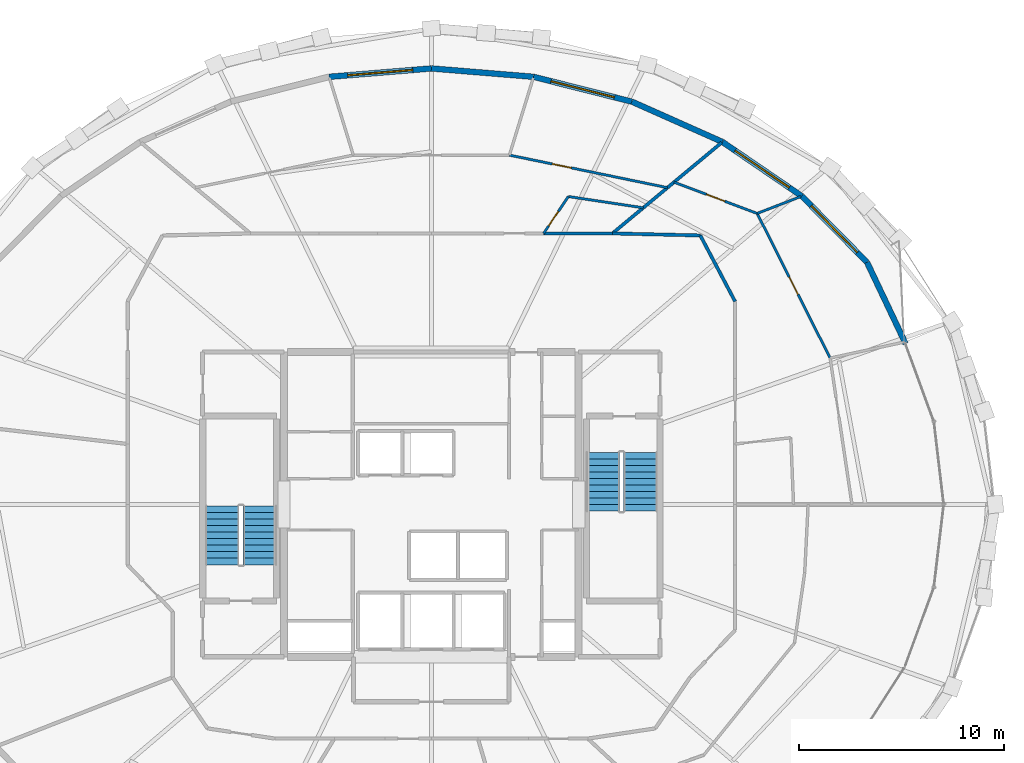
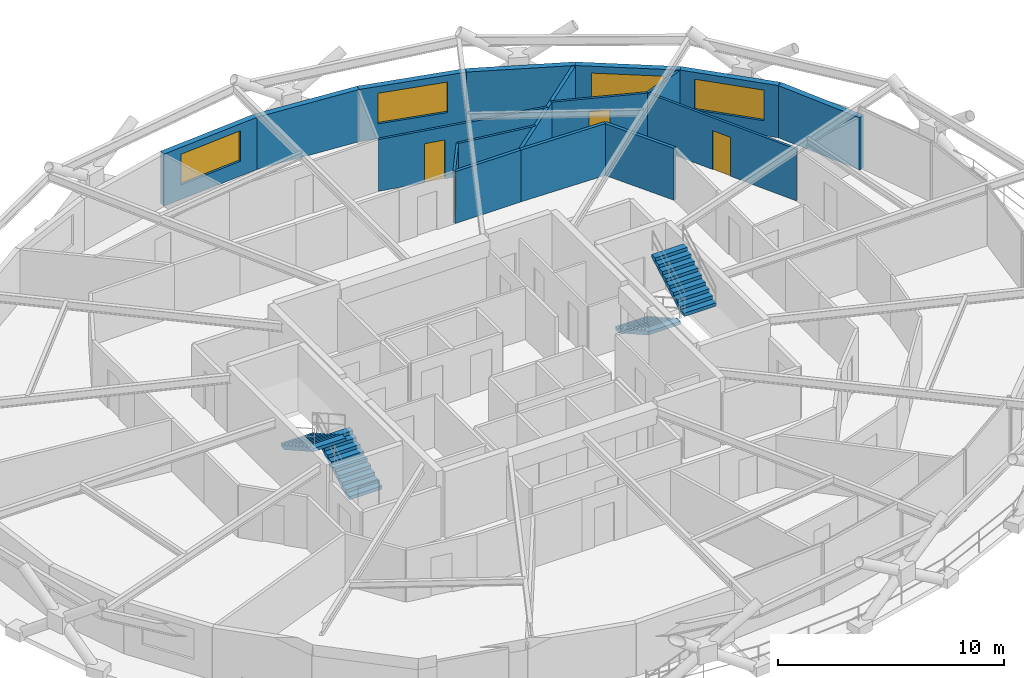
# One storey, part 14 of 15: 17 walls, 4 doors, 4 stair flights, 4 windows, 8 openings, 2 elements without a shape of their own.
"""IFC4 building model written with IfcOpenShell, lengths in metres."""

from ifc_helpers import new_model, si_unit, direction, frame, frame_2d, origin, place, context, subcontext, project, spatial, polyline, rectangle, outline, extrude, material, layer, layer_set, type_object, element, fill, aggregate, save


model = new_model("IFC4")

# Units and contexts
model_context = context("Model", 3, precision=1e-05, world=origin(), true_north=direction((0.0, 1.0)))
body_context = subcontext(model_context, "Body", "Model", "MODEL_VIEW")
ifc_project = project(units=[si_unit("LENGTHUNIT", "METRE"), si_unit("AREAUNIT", "SQUARE_METRE"), si_unit("VOLUMEUNIT", "CUBIC_METRE"), si_unit("PLANEANGLEUNIT", "RADIAN"), si_unit("MASSUNIT", "GRAM", prefix="KILO")], contexts=[model_context])

# Site, building, storey
site_placement = place(None, origin())
site = spatial("IfcSite", under=ifc_project, at=site_placement, CompositionType="ELEMENT")
building_placement = place(site_placement, origin())
building = spatial("IfcBuilding", under=site, at=building_placement, Name="Veldorina Hangang Commons", CompositionType="ELEMENT")
storey_placement = place(building_placement, frame((0.0, 0.0, 182.0)))
storey = spatial("IfcBuildingStorey", under=building, at=storey_placement, Name="L47", CompositionType="ELEMENT", Elevation=182.0)

# Wall
ifc_material_1 = material(Name="Stone Roman Travertine", Category="masonry")
ifc_layer_1 = layer(ifc_material_1, 0.280029296875)
ifc_layer_set_1 = layer_set([ifc_layer_1], Name="Stone Roman Travertine")
wall_type_1 = type_object("IfcWallType", Name="EW-TRAV-280", PredefinedType="STANDARD", material=ifc_layer_set_1)
wall_1_placement = place(storey_placement, frame((55.188232421875, 31.85986328125, 0.0), z_axis=(0.0, 0.0, 1.0), x_axis=(-0.428595800286, 0.903496341983, 0.0)))
element("IfcWall", 1, at=wall_1_placement, inside=storey, type_object=wall_type_1, Name="L47 travertine facade wall 02", PredefinedType="STANDARD", context=body_context, shape_type="SweptSolid", body=[
    extrude(rectangle(XDim=4.40771484375, YDim=0.280029296875, at=frame_2d((2.203857421875, 0.0))), origin(), (0.0, 0.0, 1.0), 2.820068359375),
])

# Wall, opening, window
wall_2_placement = place(storey_placement, frame((53.299072265625, 35.84228515625, 0.0), z_axis=(0.0, 0.0, 1.0), x_axis=(-0.70219293187, 0.711986717876, 0.0)))
wall_2 = element("IfcWall", 2, at=wall_2_placement, inside=storey, type_object=wall_type_1, Name="L47 travertine facade wall 03", PredefinedType="STANDARD", context=body_context, shape_type="SweptSolid", body=[
    extrude(rectangle(XDim=4.536865234375, YDim=0.280029296875, at=frame_2d((2.2685546875, 0.0))), origin(), (0.0, 0.0, 1.0), 2.820068359375),
])
opening_1_placement = place(wall_2_placement, frame((0.66845703125, 0.0, 0.800048828125)))
opening_1 = element("IfcOpeningElement", 3, at=opening_1_placement, cuts=wall_2, Name="Opening W-01", PredefinedType="OPENING", context=body_context, shape_type="SweptSolid", body=[
    extrude(rectangle(XDim=3.199951171875, YDim=1.64990234375, at=frame_2d((1.60009765625, 0.824951171875))), frame((0.0, 0.14990234375, 0.0), z_axis=(0.0, -1.0, 0.0), x_axis=(1.0, 0.0, 0.0)), (0.0, 0.0, 1.0), 0.300048828125),
])
ifc_material_2 = material(Name="Glass Low-E Triple IGU", Category="glass")
window_type = type_object("IfcWindowType", Name="WIN-TWR-3200", PartitioningType="SINGLE_PANEL", PredefinedType="WINDOW", material=ifc_material_2)
window_1_placement = place(opening_1_placement, origin())
window_1 = element("IfcWindow", 4, at=window_1_placement, inside=storey, type_object=window_type, Name="L47 facade window 03", OverallHeight=1.64990234375, OverallWidth=3.199951171875, PartitioningType="SINGLE_PANEL", PredefinedType="WINDOW", context=body_context, shape_type="SweptSolid", body=[
    extrude(rectangle(XDim=3.199951171875, YDim=1.64990234375, at=frame_2d((1.60009765625, 0.824951171875))), frame((0.0, 0.030029296875, 0.0), z_axis=(0.0, -1.0, 0.0), x_axis=(1.0, 0.0, 0.0)), (0.0, 0.0, 1.0), 0.06005859375),
])
fill(opening_1, window_1)

wall_3_placement = place(storey_placement, frame((50.11328125, 39.072509765625, 0.0), z_axis=(0.0, 0.0, 1.0), x_axis=(-0.825797441916, 0.563966829632, 0.0)))
wall_3 = element("IfcWall", 5, at=wall_3_placement, inside=storey, type_object=wall_type_1, Name="L47 travertine facade wall 04", PredefinedType="STANDARD", context=body_context, shape_type="SweptSolid", body=[
    extrude(rectangle(XDim=4.700439453125, YDim=0.280029296875, at=frame_2d((2.35009765625, 0.0))), origin(), (0.0, 0.0, 1.0), 2.820068359375),
])
opening_2_placement = place(wall_3_placement, frame((0.750244140625, 0.0, 0.800048828125)))
opening_2 = element("IfcOpeningElement", 6, at=opening_2_placement, cuts=wall_3, Name="Opening W-01", PredefinedType="OPENING", context=body_context, shape_type="SweptSolid", body=[
    extrude(rectangle(XDim=3.199951171875, YDim=1.64990234375, at=frame_2d((1.60009765625, 0.824951171875))), frame((0.0, 0.14990234375, 0.0), z_axis=(0.0, -1.0, 0.0), x_axis=(1.0, 0.0, 0.0)), (0.0, 0.0, 1.0), 0.300048828125),
])
window_2_placement = place(opening_2_placement, origin())
window_2 = element("IfcWindow", 7, at=window_2_placement, inside=storey, type_object=window_type, Name="L47 facade window 04", OverallHeight=1.64990234375, OverallWidth=3.199951171875, PartitioningType="SINGLE_PANEL", PredefinedType="WINDOW", context=body_context, shape_type="SweptSolid", body=[
    extrude(rectangle(XDim=3.199951171875, YDim=1.64990234375, at=frame_2d((1.60009765625, 0.824951171875))), frame((0.0, 0.030029296875, 0.0), z_axis=(0.0, -1.0, 0.0), x_axis=(1.0, 0.0, 0.0)), (0.0, 0.0, 1.0), 0.06005859375),
])
fill(opening_2, window_2)

# Wall
wall_4_placement = place(storey_placement, frame((46.231689453125, 41.723388671875, 0.0), z_axis=(0.0, 0.0, 1.0), x_axis=(-0.913703507389, 0.406381471754, 0.0)))
element("IfcWall", 8, at=wall_4_placement, inside=storey, type_object=wall_type_1, Name="L47 travertine facade wall 05", PredefinedType="STANDARD", context=body_context, shape_type="SweptSolid", body=[
    extrude(rectangle(XDim=4.846923828125, YDim=0.280029296875, at=frame_2d((2.42333984375, 0.0))), origin(), (0.0, 0.0, 1.0), 2.820068359375),
])

# Wall, opening, window
wall_5_placement = place(storey_placement, frame((41.802978515625, 43.693115234375, 0.0), z_axis=(0.0, 0.0, 1.0), x_axis=(-0.96958067748, 0.244771954803, 0.0)))
wall_5 = element("IfcWall", 9, at=wall_5_placement, inside=storey, type_object=wall_type_1, Name="L47 travertine facade wall 06", PredefinedType="STANDARD", context=body_context, shape_type="SweptSolid", body=[
    extrude(rectangle(XDim=4.956298828125, YDim=0.280029296875, at=frame_2d((2.47802734375, 0.0))), origin(), (0.0, 0.0, 1.0), 2.820068359375),
])
opening_3_placement = place(wall_5_placement, frame((0.878173828125, 0.0, 0.800048828125)))
opening_3 = element("IfcOpeningElement", 10, at=opening_3_placement, cuts=wall_5, Name="Opening W-01", PredefinedType="OPENING", context=body_context, shape_type="SweptSolid", body=[
    extrude(rectangle(XDim=3.199951171875, YDim=1.64990234375, at=frame_2d((1.60009765625, 0.824951171875))), frame((0.0, 0.14990234375, 0.0), z_axis=(0.0, -1.0, 0.0), x_axis=(1.0, 0.0, 0.0)), (0.0, 0.0, 1.0), 0.300048828125),
])
window_3_placement = place(opening_3_placement, origin())
window_3 = element("IfcWindow", 11, at=window_3_placement, inside=storey, type_object=window_type, Name="L47 facade window 06", OverallHeight=1.64990234375, OverallWidth=3.199951171875, PartitioningType="SINGLE_PANEL", PredefinedType="WINDOW", context=body_context, shape_type="SweptSolid", body=[
    extrude(rectangle(XDim=3.199951171875, YDim=1.64990234375, at=frame_2d((1.60009765625, 0.824951171875))), frame((0.0, 0.030029296875, 0.0), z_axis=(0.0, -1.0, 0.0), x_axis=(1.0, 0.0, 0.0)), (0.0, 0.0, 1.0), 0.06005859375),
])
fill(opening_3, window_3)

# Wall
wall_6_placement = place(storey_placement, frame((36.99755859375, 44.90625, 0.0), z_axis=(0.0, 0.0, 1.0), x_axis=(-0.996657001312, 0.081699582228, 0.0)))
element("IfcWall", 12, at=wall_6_placement, inside=storey, type_object=wall_type_1, Name="L47 travertine facade wall 07", PredefinedType="STANDARD", context=body_context, shape_type="SweptSolid", body=[
    extrude(rectangle(XDim=5.014404296875, YDim=0.280029296875, at=frame_2d((2.50732421875, 0.0))), origin(), (0.0, 0.0, 1.0), 2.820068359375),
])

# Wall, opening, window
wall_7_placement = place(storey_placement, frame((32.0, 45.31591796875, 0.0), z_axis=(0.0, 0.0, 1.0), x_axis=(-0.996657001312, -0.081699582228, 0.0)))
wall_7 = element("IfcWall", 13, at=wall_7_placement, inside=storey, type_object=wall_type_1, Name="L47 travertine facade wall 08", PredefinedType="STANDARD", context=body_context, shape_type="SweptSolid", body=[
    extrude(rectangle(XDim=5.014404296875, YDim=0.280029296875, at=frame_2d((2.50732421875, 0.0))), origin(), (0.0, 0.0, 1.0), 2.820068359375),
])
opening_4_placement = place(wall_7_placement, frame((0.906982421875, 0.0, 0.800048828125)))
opening_4 = element("IfcOpeningElement", 14, at=opening_4_placement, cuts=wall_7, Name="Opening W-01", PredefinedType="OPENING", context=body_context, shape_type="SweptSolid", body=[
    extrude(rectangle(XDim=3.199951171875, YDim=1.64990234375, at=frame_2d((1.60009765625, 0.824951171875))), frame((0.0, 0.14990234375, 0.0), z_axis=(0.0, -1.0, 0.0), x_axis=(1.0, 0.0, 0.0)), (0.0, 0.0, 1.0), 0.300048828125),
])
window_4_placement = place(opening_4_placement, origin())
window_4 = element("IfcWindow", 15, at=window_4_placement, inside=storey, type_object=window_type, Name="L47 facade window 08", OverallHeight=1.64990234375, OverallWidth=3.199951171875, PartitioningType="SINGLE_PANEL", PredefinedType="WINDOW", context=body_context, shape_type="SweptSolid", body=[
    extrude(rectangle(XDim=3.199951171875, YDim=1.64990234375, at=frame_2d((1.60009765625, 0.824951171875))), frame((0.0, 0.030029296875, 0.0), z_axis=(0.0, -1.0, 0.0), x_axis=(1.0, 0.0, 0.0)), (0.0, 0.0, 1.0), 0.06005859375),
])
fill(opening_4, window_4)

# Walls
ifc_material_3 = material(Name="Gypsum Fire-Rated Twin Stud Wall", Category="gypsum")
ifc_layer_2 = layer(ifc_material_3, 0.159912109375)
ifc_layer_set_2 = layer_set([ifc_layer_2], Name="Gypsum Fire-Rated Twin Stud Wall")
wall_type_2 = type_object("IfcWallType", Name="WL-FIRE-160", PredefinedType="SOLIDWALL", material=ifc_layer_set_2)
wall_8_placement = place(storey_placement, frame((46.85009765625, 33.922607421875, 0.0), z_axis=(0.0, 0.0, 1.0), x_axis=(-0.466093963429, 0.884735224378, 0.0)))
element("IfcWall", 16, at=wall_8_placement, inside=storey, type_object=wall_type_2, Name="L47 U-corridor outer wall 03 049", PredefinedType="SOLIDWALL", context=body_context, shape_type="SweptSolid", body=[
    extrude(rectangle(XDim=3.647705078125, YDim=0.159912109375, at=frame_2d((1.82373046875, 0.0))), origin(), (0.0, 0.0, 1.0), 2.800048828125),
])
wall_9_placement = place(storey_placement, frame((45.14990234375, 37.14990234375, 0.0), z_axis=(0.0, 0.0, 1.0), x_axis=(-0.999728709658, 0.023291781507, 0.0)))
element("IfcWall", 17, at=wall_9_placement, inside=storey, type_object=wall_type_2, Name="L47 U-corridor outer wall 04 050", PredefinedType="SOLIDWALL", context=body_context, shape_type="SweptSolid", body=[
    extrude(rectangle(XDim=4.297607421875, YDim=0.159912109375, at=frame_2d((2.14892578125, 0.0))), origin(), (0.0, 0.0, 1.0), 2.800048828125),
])
wall_10_placement = place(storey_placement, frame((40.853515625, 37.25, 0.0), z_axis=(0.0, 0.0, 1.0), x_axis=(-1.0, 0.0, 0.0)))
element("IfcWall", 18, at=wall_10_placement, inside=storey, type_object=wall_type_2, Name="L47 U-corridor outer wall 05 051", PredefinedType="SOLIDWALL", context=body_context, shape_type="SweptSolid", body=[
    extrude(rectangle(XDim=3.365234375, YDim=0.159912109375, at=frame_2d((1.6826171875, 0.0))), origin(), (0.0, 0.0, 1.0), 2.800048828125),
])
wall_11_placement = place(storey_placement, frame((40.853515625, 37.25, 0.0), z_axis=(0.0, 0.0, 1.0), x_axis=(0.768805862504, 0.639482248213, 0.0)))
element("IfcWall", 19, at=wall_11_placement, inside=storey, type_object=wall_type_2, Name="L47 Unit party wall 05 092", PredefinedType="SOLIDWALL", context=body_context, shape_type="SweptSolid", body=[
    extrude(rectangle(XDim=6.9453125, YDim=0.159912109375, at=frame_2d((3.47265625, 0.0))), origin(), (0.0, 0.0, 1.0), 2.800048828125),
])

# Wall, opening, door
ifc_material_4 = material(Name="Gypsum Acoustic Stud Partition", Category="gypsum")
ifc_layer_3 = layer(ifc_material_4, 0.1201171875)
ifc_layer_set_3 = layer_set([ifc_layer_3], Name="Gypsum Acoustic Stud Partition")
wall_type_3 = type_object("IfcWallType", Name="WL-PART-120", PredefinedType="PARTITIONING", material=ifc_layer_set_3)
wall_12_placement = place(storey_placement, frame((51.497314453125, 31.154541015625, 0.0), z_axis=(0.0, 0.0, 1.0), x_axis=(-0.450428488071, 0.892812509508, 0.0)))
wall_12 = element("IfcWall", 20, at=wall_12_placement, inside=storey, type_object=wall_type_3, Name="L47 Cluster 2 bed 2 front wall 088", PredefinedType="PARTITIONING", context=body_context, shape_type="SweptSolid", body=[
    extrude(rectangle(XDim=7.921142578125, YDim=0.1201171875, at=frame_2d((3.96044921875, 0.0))), origin(), (0.0, 0.0, 1.0), 2.800048828125),
])
opening_5_placement = place(wall_12_placement, frame((3.485595703125, 0.0, 0.0)))
opening_5 = element("IfcOpeningElement", 21, at=opening_5_placement, cuts=wall_12, Name="Opening D-02", PredefinedType="OPENING", context=body_context, shape_type="SweptSolid", body=[
    extrude(rectangle(XDim=0.949951171875, YDim=2.10009765625, at=frame_2d((0.47509765625, 1.050048828125))), frame((0.0, 0.070068359375, 0.0), z_axis=(0.0, -1.0, 0.0), x_axis=(1.0, 0.0, 0.0)), (0.0, 0.0, 1.0), 0.14013671875),
])
ifc_material_5 = material(Name="Timber Solid Core Acoustic", Category="wood")
door_type_1 = type_object("IfcDoorType", Name="DR-INT-950", OperationType="SINGLE_SWING_LEFT", PredefinedType="DOOR", material=ifc_material_5)
door_1_placement = place(opening_5_placement, origin())
door_1 = element("IfcDoor", 22, at=door_1_placement, inside=storey, type_object=door_type_1, Name="L47 Cluster 2 bed 2 door 023", OperationType="SINGLE_SWING_LEFT", OverallHeight=2.10009765625, OverallWidth=0.949951171875, PredefinedType="DOOR", context=body_context, shape_type="SweptSolid", body=[
    extrude(rectangle(XDim=0.949951171875, YDim=2.10009765625, at=frame_2d((0.47509765625, 1.050048828125))), frame((0.0, 0.02490234375, 0.0), z_axis=(0.0, -1.0, 0.0), x_axis=(1.0, 0.0, 0.0)), (0.0, 0.0, 1.0), 0.050048828125),
])
fill(opening_5, door_1)

wall_13_placement = place(storey_placement, frame((47.929443359375, 38.2265625, 0.0), z_axis=(0.0, 0.0, 1.0), x_axis=(-0.935989074673, 0.352029050071, 0.0)))
wall_13 = element("IfcWall", 23, at=wall_13_placement, inside=storey, type_object=wall_type_3, Name="L47 Cluster 2 bed 3 front wall 090", PredefinedType="PARTITIONING", context=body_context, shape_type="SweptSolid", body=[
    extrude(rectangle(XDim=4.342041015625, YDim=0.1201171875, at=frame_2d((2.1708984375, 0.0))), origin(), (0.0, 0.0, 1.0), 2.800048828125),
])
opening_6_placement = place(wall_13_placement, frame((1.696044921875, 0.0, 0.0)))
opening_6 = element("IfcOpeningElement", 24, at=opening_6_placement, cuts=wall_13, Name="Opening D-02", PredefinedType="OPENING", context=body_context, shape_type="SweptSolid", body=[
    extrude(rectangle(XDim=0.949951171875, YDim=2.10009765625, at=frame_2d((0.47509765625, 1.050048828125))), frame((0.0, 0.070068359375, 0.0), z_axis=(0.0, -1.0, 0.0), x_axis=(1.0, 0.0, 0.0)), (0.0, 0.0, 1.0), 0.14013671875),
])
door_2_placement = place(opening_6_placement, origin())
door_2 = element("IfcDoor", 25, at=door_2_placement, inside=storey, type_object=door_type_1, Name="L47 Cluster 2 bed 3 door 024", OperationType="SINGLE_SWING_RIGHT", OverallHeight=2.10009765625, OverallWidth=0.949951171875, PredefinedType="DOOR", context=body_context, shape_type="SweptSolid", body=[
    extrude(rectangle(XDim=0.949951171875, YDim=2.10009765625, at=frame_2d((0.47509765625, 1.050048828125))), frame((0.0, 0.02490234375, 0.0), z_axis=(0.0, -1.0, 0.0), x_axis=(1.0, 0.0, 0.0)), (0.0, 0.0, 1.0), 0.050048828125),
])
fill(opening_6, door_2)

# Walls
wall_14_placement = place(storey_placement, frame((47.929443359375, 38.2265625, 0.0), z_axis=(0.0, 0.0, 1.0), x_axis=(0.932497523424, 0.36117636801, 0.0)))
element("IfcWall", 26, at=wall_14_placement, inside=storey, type_object=wall_type_3, Name="L47 Cluster 2 bed divider 2 091", PredefinedType="PARTITIONING", context=body_context, shape_type="SweptSolid", body=[
    extrude(rectangle(XDim=2.292236328125, YDim=0.1201171875, at=frame_2d((1.14599609375, 0.0))), origin(), (0.0, 0.0, 1.0), 2.800048828125),
])
wall_15_placement = place(storey_placement, frame((42.359375, 38.502685546875, 0.0), z_axis=(0.0, 0.0, 1.0), x_axis=(-0.988854990304, 0.148881859711, 0.0)))
element("IfcWall", 27, at=wall_15_placement, inside=storey, type_object=wall_type_3, Name="L47 Cluster 3 bath front wall 093", PredefinedType="PARTITIONING", context=body_context, shape_type="SweptSolid", body=[
    extrude(rectangle(XDim=3.704345703125, YDim=0.1201171875, at=frame_2d((1.85205078125, 0.0))), origin(), (0.0, 0.0, 1.0), 2.800048828125),
])

# Wall, opening, door
wall_16_placement = place(storey_placement, frame((37.48828125, 37.25, 0.0), z_axis=(0.0, 0.0, 1.0), x_axis=(0.556359763528, 0.830941522327, 0.0)))
wall_16 = element("IfcWall", 28, at=wall_16_placement, inside=storey, type_object=wall_type_3, Name="L47 Cluster 3 bath side wall 094", PredefinedType="PARTITIONING", context=body_context, shape_type="SweptSolid", body=[
    extrude(rectangle(XDim=2.17138671875, YDim=0.1201171875, at=frame_2d((1.085693359375, 0.0))), origin(), (0.0, 0.0, 1.0), 2.800048828125),
])
opening_7_placement = place(wall_16_placement, frame((0.43994140625, 0.0, 0.0)))
opening_7 = element("IfcOpeningElement", 29, at=opening_7_placement, cuts=wall_16, Name="Opening D-01", PredefinedType="OPENING", context=body_context, shape_type="SweptSolid", body=[
    extrude(rectangle(XDim=0.860107421875, YDim=2.10009765625, at=frame_2d((0.43017578125, 1.050048828125))), frame((0.0, 0.070068359375, 0.0), z_axis=(0.0, -1.0, 0.0), x_axis=(1.0, 0.0, 0.0)), (0.0, 0.0, 1.0), 0.14013671875),
])
ifc_material_6 = material(Name="Timber Moisture-Resistant Core", Category="wood")
door_type_2 = type_object("IfcDoorType", Name="DR-WET-860", OperationType="SINGLE_SWING_LEFT", PredefinedType="DOOR", material=ifc_material_6)
door_3_placement = place(opening_7_placement, origin())
door_3 = element("IfcDoor", 30, at=door_3_placement, inside=storey, type_object=door_type_2, Name="L47 Cluster 3 shared bathroom door 025", OperationType="SINGLE_SWING_LEFT", OverallHeight=2.10009765625, OverallWidth=0.860107421875, PredefinedType="DOOR", context=body_context, shape_type="SweptSolid", body=[
    extrude(rectangle(XDim=0.860107421875, YDim=2.10009765625, at=frame_2d((0.43017578125, 1.050048828125))), frame((0.0, 0.02490234375, 0.0), z_axis=(0.0, -1.0, 0.0), x_axis=(1.0, 0.0, 0.0)), (0.0, 0.0, 1.0), 0.050048828125),
])
fill(opening_7, door_3)

wall_17_placement = place(storey_placement, frame((43.54248046875, 39.48681640625, 0.0), z_axis=(0.0, 0.0, 1.0), x_axis=(-0.979440858822, 0.201731514814, 0.0)))
wall_17 = element("IfcWall", 31, at=wall_17_placement, inside=storey, type_object=wall_type_3, Name="L47 Cluster 3 bed 1 front wall 095", PredefinedType="PARTITIONING", context=body_context, shape_type="SweptSolid", body=[
    extrude(rectangle(XDim=7.88818359375, YDim=0.1201171875, at=frame_2d((3.944091796875, 0.0))), origin(), (0.0, 0.0, 1.0), 2.800048828125),
])
opening_8_placement = place(wall_17_placement, frame((4.802001953125, 0.0, 0.0)))
opening_8 = element("IfcOpeningElement", 32, at=opening_8_placement, cuts=wall_17, Name="Opening D-02", PredefinedType="OPENING", context=body_context, shape_type="SweptSolid", body=[
    extrude(rectangle(XDim=0.949951171875, YDim=2.10009765625, at=frame_2d((0.47509765625, 1.050048828125))), frame((0.0, 0.070068359375, 0.0), z_axis=(0.0, -1.0, 0.0), x_axis=(1.0, 0.0, 0.0)), (0.0, 0.0, 1.0), 0.14013671875),
])
door_4_placement = place(opening_8_placement, origin())
door_4 = element("IfcDoor", 33, at=door_4_placement, inside=storey, type_object=door_type_1, Name="L47 Cluster 3 bed 1 door 027", OperationType="SINGLE_SWING_LEFT", OverallHeight=2.10009765625, OverallWidth=0.949951171875, PredefinedType="DOOR", context=body_context, shape_type="SweptSolid", body=[
    extrude(rectangle(XDim=0.949951171875, YDim=2.10009765625, at=frame_2d((0.47509765625, 1.050048828125))), frame((0.0, 0.02490234375, 0.0), z_axis=(0.0, -1.0, 0.0), x_axis=(1.0, 0.0, 0.0)), (0.0, 0.0, 1.0), 0.050048828125),
])
fill(opening_8, door_4)

# Stair, stair flights
ifc_material_7 = material(Name="Concrete C40/50", Category="concrete")
stair_type = type_object("IfcStairType", Name="STR-DOG-1650-20R", PredefinedType="HALF_TURN_STAIR", material=ifc_material_7)
stair_1_placement = place(storey_placement, origin())
stair_1 = element("IfcStair", 34, at=stair_1_placement, inside=storey, type_object=stair_type, Name="L47 Exit stair ST-1", PredefinedType="HALF_TURN_STAIR")
stair_flight_type = type_object("IfcStairFlightType", Name="SFL-STR-1650-20R", PredefinedType="STRAIGHT", material=ifc_material_7)
stair_flight_1_placement = place(storey_placement, frame((23.625, 21.050048828125, 0.0), z_axis=(0.0, 0.0, 1.0), x_axis=(0.0, 1.0, 0.0)))
stair_flight_1 = element("IfcStairFlight", 35, at=stair_flight_1_placement, type_object=stair_flight_type, Name="ST-1 flight 1", NumberOfRisers=10, NumberOfTreads=9, PredefinedType="STRAIGHT", RiserHeight=0.18, TreadLength=0.32, context=body_context, shape_type="SweptSolid", body=[
    extrude(outline(polyline([(0.0, 0.0), (0.0, 0.179931640625), (0.320068359375, 0.179931640625), (0.320068359375, 0.360107421875), (0.639892578125, 0.360107421875), (0.639892578125, 0.5400390625), (0.9599609375, 0.5400390625), (0.9599609375, 0.719970703125), (1.280029296875, 0.719970703125), (1.280029296875, 0.89990234375), (1.60009765625, 0.89990234375), (1.60009765625, 1.080078125), (1.919921875, 1.080078125), (1.919921875, 1.260009765625), (2.239990234375, 1.260009765625), (2.239990234375, 1.43994140625), (2.56005859375, 1.43994140625), (2.56005859375, 1.6201171875), (2.8798828125, 1.6201171875), (2.8798828125, 1.800048828125), (2.8798828125, 1.447998046875), (0.3056640625, 0.0), (0.0, 0.0)])), frame((0.0, 0.824951171875, 0.0), z_axis=(0.0, -1.0, 0.0), x_axis=(1.0, 0.0, 0.0)), (0.0, 0.0, 1.0), 1.64990234375),
])
stair_flight_2_placement = place(storey_placement, frame((21.77490234375, 23.929931640625, 1.800048828125), z_axis=(0.0, 0.0, 1.0), x_axis=(0.0, -1.0, 0.0)))
stair_flight_2 = element("IfcStairFlight", 36, at=stair_flight_2_placement, type_object=stair_flight_type, Name="ST-1 flight 2", NumberOfRisers=10, NumberOfTreads=9, PredefinedType="STRAIGHT", RiserHeight=0.18, TreadLength=0.32, context=body_context, shape_type="SweptSolid", body=[
    extrude(outline(polyline([(0.0, 0.0), (0.0, 0.179931640625), (0.320068359375, 0.179931640625), (0.320068359375, 0.360107421875), (0.639892578125, 0.360107421875), (0.639892578125, 0.5400390625), (0.9599609375, 0.5400390625), (0.9599609375, 0.719970703125), (1.280029296875, 0.719970703125), (1.280029296875, 0.89990234375), (1.60009765625, 0.89990234375), (1.60009765625, 1.080078125), (1.919921875, 1.080078125), (1.919921875, 1.260009765625), (2.239990234375, 1.260009765625), (2.239990234375, 1.43994140625), (2.56005859375, 1.43994140625), (2.56005859375, 1.6201171875), (2.8798828125, 1.6201171875), (2.8798828125, 1.800048828125), (2.8798828125, 1.447998046875), (0.3056640625, 0.0), (0.0, 0.0)])), frame((0.0, 0.824951171875, 0.0), z_axis=(0.0, -1.0, 0.0), x_axis=(1.0, 0.0, 0.0)), (0.0, 0.0, 1.0), 1.64990234375),
])
aggregate(stair_1, [stair_flight_1, stair_flight_2])

stair_2_placement = place(storey_placement, origin())
stair_2 = element("IfcStair", 37, at=stair_2_placement, inside=storey, type_object=stair_type, Name="L47 Exit stair ST-2", PredefinedType="HALF_TURN_STAIR")
stair_flight_3_placement = place(storey_placement, frame((40.375, 26.550048828125, 0.0), z_axis=(0.0, 0.0, 1.0), x_axis=(0.0, -1.0, 0.0)))
stair_flight_3 = element("IfcStairFlight", 38, at=stair_flight_3_placement, type_object=stair_flight_type, Name="ST-2 flight 1", NumberOfRisers=10, NumberOfTreads=9, PredefinedType="STRAIGHT", RiserHeight=0.18, TreadLength=0.32, context=body_context, shape_type="SweptSolid", body=[
    extrude(outline(polyline([(0.0, 0.0), (0.0, 0.179931640625), (0.320068359375, 0.179931640625), (0.320068359375, 0.360107421875), (0.639892578125, 0.360107421875), (0.639892578125, 0.5400390625), (0.9599609375, 0.5400390625), (0.9599609375, 0.719970703125), (1.280029296875, 0.719970703125), (1.280029296875, 0.89990234375), (1.60009765625, 0.89990234375), (1.60009765625, 1.080078125), (1.919921875, 1.080078125), (1.919921875, 1.260009765625), (2.239990234375, 1.260009765625), (2.239990234375, 1.43994140625), (2.56005859375, 1.43994140625), (2.56005859375, 1.6201171875), (2.8798828125, 1.6201171875), (2.8798828125, 1.800048828125), (2.8798828125, 1.447998046875), (0.3056640625, 0.0), (0.0, 0.0)])), frame((0.0, 0.824951171875, 0.0), z_axis=(0.0, -1.0, 0.0), x_axis=(1.0, 0.0, 0.0)), (0.0, 0.0, 1.0), 1.64990234375),
])
stair_flight_4_placement = place(storey_placement, frame((42.22509765625, 23.669921875, 1.800048828125), z_axis=(0.0, 0.0, 1.0), x_axis=(0.0, 1.0, 0.0)))
stair_flight_4 = element("IfcStairFlight", 39, at=stair_flight_4_placement, type_object=stair_flight_type, Name="ST-2 flight 2", NumberOfRisers=10, NumberOfTreads=9, PredefinedType="STRAIGHT", RiserHeight=0.18, TreadLength=0.32, context=body_context, shape_type="SweptSolid", body=[
    extrude(outline(polyline([(0.0, 0.0), (0.0, 0.179931640625), (0.320068359375, 0.179931640625), (0.320068359375, 0.360107421875), (0.639892578125, 0.360107421875), (0.639892578125, 0.5400390625), (0.9599609375, 0.5400390625), (0.9599609375, 0.719970703125), (1.280029296875, 0.719970703125), (1.280029296875, 0.89990234375), (1.60009765625, 0.89990234375), (1.60009765625, 1.080078125), (1.919921875, 1.080078125), (1.919921875, 1.260009765625), (2.239990234375, 1.260009765625), (2.239990234375, 1.43994140625), (2.56005859375, 1.43994140625), (2.56005859375, 1.6201171875), (2.8798828125, 1.6201171875), (2.8798828125, 1.800048828125), (2.8798828125, 1.447998046875), (0.3056640625, 0.0), (0.0, 0.0)])), frame((0.0, 0.824951171875, 0.0), z_axis=(0.0, -1.0, 0.0), x_axis=(1.0, 0.0, 0.0)), (0.0, 0.0, 1.0), 1.64990234375),
])
aggregate(stair_2, [stair_flight_3, stair_flight_4])

save(model, "model.ifc")
